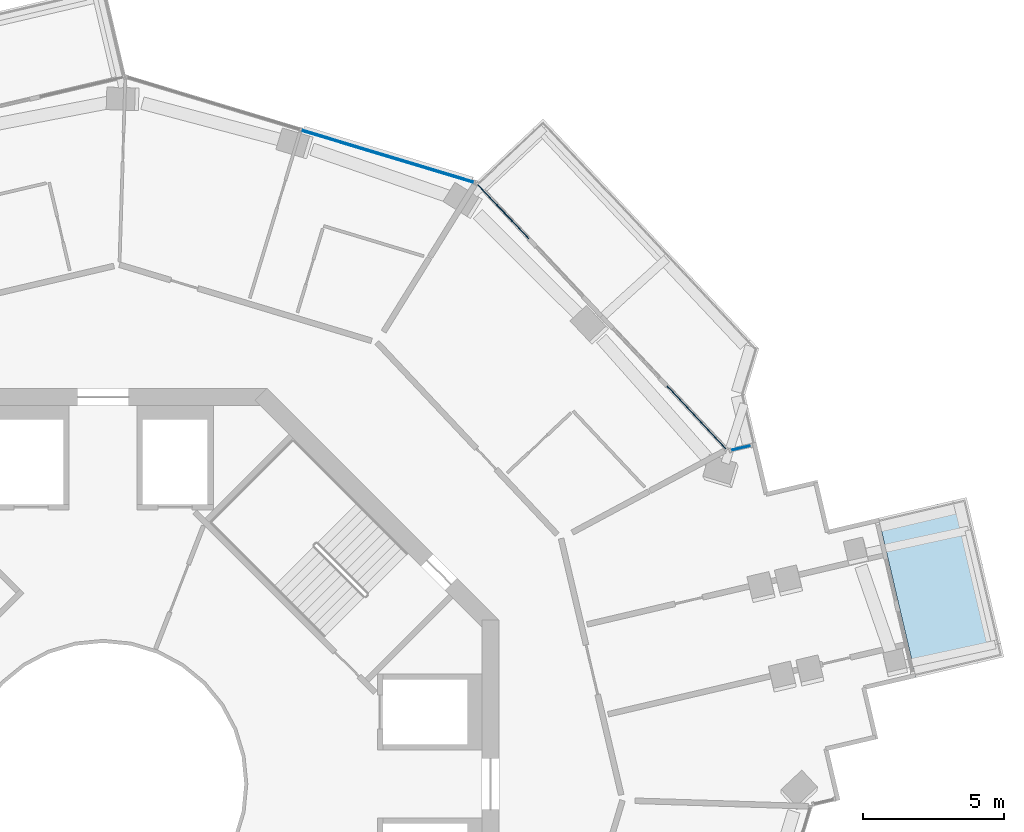
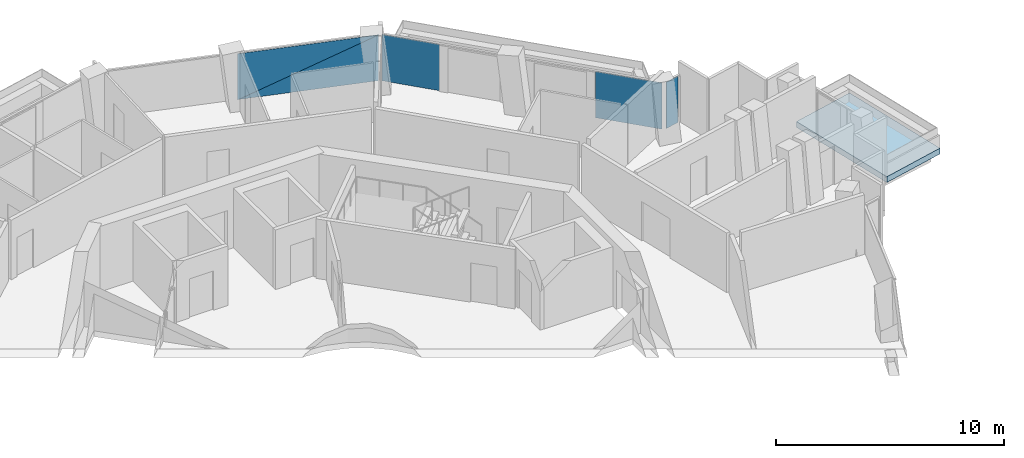
# One storey, part 15 of 24: 5 plates, 1 slab, 3 elements without a shape of their own.
"""IFC4 building model written with IfcOpenShell, lengths in metres."""

from ifc_helpers import new_model, si_unit, direction, frame, origin, origin_2d, place, context, subcontext, project, spatial, polyline, rectangle, outline, extrude, material, layer, layer_set, type_object, element, aggregate, save


model = new_model("IFC4")

# Units and contexts
model_context = context("Model", 3, precision=1e-05, world=origin(), true_north=direction((0.0, 1.0)))
body_context = subcontext(model_context, "Body", "Model", "MODEL_VIEW")
ifc_project = project(units=[si_unit("LENGTHUNIT", "METRE"), si_unit("AREAUNIT", "SQUARE_METRE"), si_unit("VOLUMEUNIT", "CUBIC_METRE"), si_unit("PLANEANGLEUNIT", "RADIAN"), si_unit("MASSUNIT", "GRAM", prefix="KILO")], contexts=[model_context])

# Site, building, storey
site_placement = place(None, origin())
site = spatial("IfcSite", under=ifc_project, at=site_placement, CompositionType="ELEMENT")
building_placement = place(site_placement, origin())
building = spatial("IfcBuilding", under=site, at=building_placement, Name="Verdalira Terraces Hotel", CompositionType="ELEMENT")
storey_placement = place(building_placement, frame((0.0, 0.0, 209.0)))
storey = spatial("IfcBuildingStorey", under=building, at=storey_placement, Name="L51", CompositionType="ELEMENT", Elevation=209.0)

# Slab
ifc_material_1 = material(Name="Precast concrete C40/50", Category="concrete")
ifc_layer_1 = layer(ifc_material_1, 0.31005859375)
ifc_layer_set_1 = layer_set([ifc_layer_1], Name="Balcony deck 310")
slab_type = type_object("IfcSlabType", Name="Balcony deck 310", PredefinedType="FLOOR", material=ifc_layer_set_1)
slab_placement = place(storey_placement, frame((0.0, 0.0, -0.310059)))
element("IfcSlab", 1, at=slab_placement, inside=storey, type_object=slab_type, Name="Balcony deck", PredefinedType="FLOOR", context=body_context, shape_type="SweptSolid", body=[
    extrude(outline(polyline([(30.549072, 10.144043), (27.433594, 9.413086), (28.758057, 3.766357), (31.873535, 4.49707), (30.549072, 10.144043)])), origin(), (0.0, 0.0, 1.0), 0.310059),
])

# Curtain wall, plates
ifc_material_2 = material(Name="Clear glass", Category="glass")
ifc_layer_2 = layer(ifc_material_2, 0.14990234375)
ifc_layer_set_2 = layer_set([ifc_layer_2], Name="CW1 curtain wall")
curtain_wall_type_1 = type_object("IfcCurtainWallType", Name="CW1 curtain wall", PredefinedType="NOTDEFINED", material=ifc_layer_set_2)
curtain_wall_1_placement = place(storey_placement, origin())
curtain_wall_1 = element("IfcCurtainWall", 2, at=curtain_wall_1_placement, inside=storey, type_object=curtain_wall_type_1, Name="CW1 curtain wall L51 edge 39", PredefinedType="NOTDEFINED")
ifc_material_3 = material(Name="Clear glass", Category="glass")
ifc_layer_3 = layer(ifc_material_3, 0.028076171875)
ifc_layer_set_3 = layer_set([ifc_layer_3], Name="CW1 glass unit 28")
plate_type_1 = type_object("IfcPlateType", Name="CW1 glass unit 28", PredefinedType="CURTAIN_PANEL", material=ifc_layer_set_3)
plate_1_placement = place(storey_placement, frame((20.996826, 12.968018, 0.0), z_axis=(0.0, 0.0, 1.0), x_axis=(-0.684547106, 0.728968627, 0.0)))
plate_1 = element("IfcPlate", 3, at=plate_1_placement, type_object=plate_type_1, Name="CW1 glass unit", PredefinedType="CURTAIN_PANEL", context=body_context, shape_type="SweptSolid", body=[
    extrude(rectangle(XDim=3.040039, YDim=0.028076, at=origin_2d()), origin(), (0.0, 0.0, 1.0), 2.475098),
])
plate_2_placement = place(storey_placement, frame((14.151123, 20.258301, 0.0), z_axis=(0.0, 0.0, 1.0), x_axis=(-0.684547106, 0.728968627, 0.0)))
plate_2 = element("IfcPlate", 4, at=plate_2_placement, type_object=plate_type_1, Name="CW1 glass unit", PredefinedType="CURTAIN_PANEL", context=body_context, shape_type="SweptSolid", body=[
    extrude(rectangle(XDim=2.638428, YDim=0.028076, at=origin_2d()), origin(), (0.0, 0.0, 1.0), 2.475098),
])
aggregate(curtain_wall_1, [plate_1, plate_2])

curtain_wall_2_placement = place(storey_placement, origin())
curtain_wall_2 = element("IfcCurtainWall", 5, at=curtain_wall_2_placement, inside=storey, type_object=curtain_wall_type_1, Name="CW1 curtain wall L51 edge 40", PredefinedType="NOTDEFINED")
plate_3_placement = place(storey_placement, frame((10.063232, 22.208496, 1.237549), z_axis=(0.289031797, 0.957319498, 0.0), x_axis=(-0.957319498, 0.289031797, 0.0)))
plate_3 = element("IfcPlate", 6, at=plate_3_placement, type_object=plate_type_1, Name="CW1 glass unit", PredefinedType="CURTAIN_PANEL", context=body_context, shape_type="SweptSolid", body=[
    extrude(outline(polyline([(-3.185059, -1.237549), (3.185059, -1.237549), (-3.185059, 1.237549), (-3.185059, -1.237549)])), origin(), (0.0, 0.0, 1.0), 0.028076),
])
plate_4_placement = place(storey_placement, frame((10.054932, 22.180664, 1.237549), z_axis=(0.289031797, 0.957319498, 0.0), x_axis=(-0.957319498, 0.289031797, 0.0)))
plate_4 = element("IfcPlate", 7, at=plate_4_placement, type_object=plate_type_1, Name="CW1 glass unit", PredefinedType="CURTAIN_PANEL", context=body_context, shape_type="SweptSolid", body=[
    extrude(outline(polyline([(3.185059, -1.237549), (3.185059, 1.237549), (-3.185059, 1.237549), (3.185059, -1.237549)])), origin(), (0.0, 0.0, 1.0), 0.028076),
])
aggregate(curtain_wall_2, [plate_3, plate_4])

# Curtain wall, plate
ifc_material_4 = material(Name="Clear glass", Category="glass")
ifc_layer_4 = layer(ifc_material_4, 0.14990234375)
ifc_layer_set_4 = layer_set([ifc_layer_4], Name="CW2 curtain wall")
curtain_wall_type_2 = type_object("IfcCurtainWallType", Name="CW2 curtain wall", PredefinedType="NOTDEFINED", material=ifc_layer_set_4)
curtain_wall_3_placement = place(storey_placement, origin())
curtain_wall_3 = element("IfcCurtainWall", 8, at=curtain_wall_3_placement, inside=storey, type_object=curtain_wall_type_2, Name="CW2 curtain wall L51 edge 38", PredefinedType="NOTDEFINED")
ifc_material_5 = material(Name="Clear glass", Category="glass")
ifc_layer_5 = layer(ifc_material_5, 0.031982421875)
ifc_layer_set_5 = layer_set([ifc_layer_5], Name="CW2 glass unit 32")
plate_type_2 = type_object("IfcPlateType", Name="CW2 glass unit 32", PredefinedType="CURTAIN_PANEL", material=ifc_layer_set_5)
plate_5_placement = place(storey_placement, frame((22.563965, 11.891602, 0.0), z_axis=(0.0, 0.0, 1.0), x_axis=(-0.973578903, -0.22835087, 0.0)))
plate_5 = element("IfcPlate", 9, at=plate_5_placement, type_object=plate_type_2, Name="CW2 glass unit", PredefinedType="CURTAIN_PANEL", context=body_context, shape_type="SweptSolid", body=[
    extrude(rectangle(XDim=0.709961, YDim=0.031982, at=origin_2d()), origin(), (0.0, 0.0, 1.0), 2.475098),
])
aggregate(curtain_wall_3, [plate_5])

save(model, "model.ifc")
